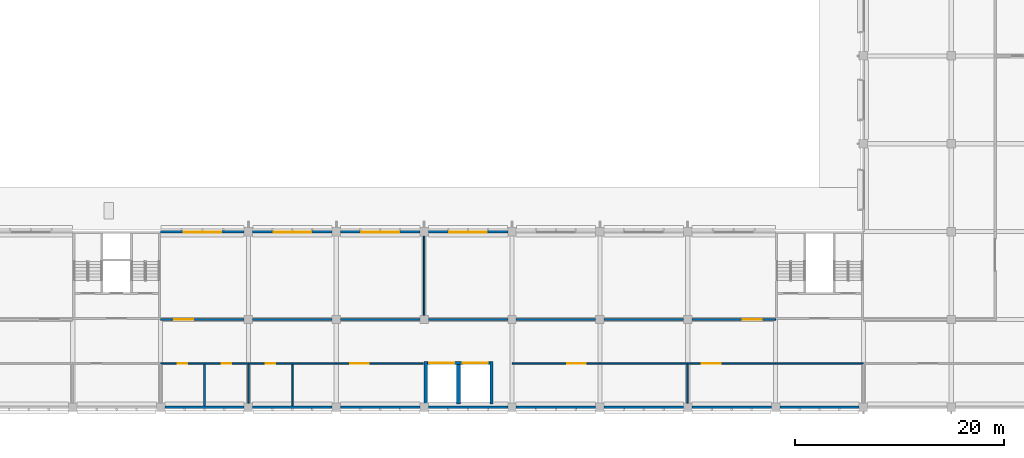
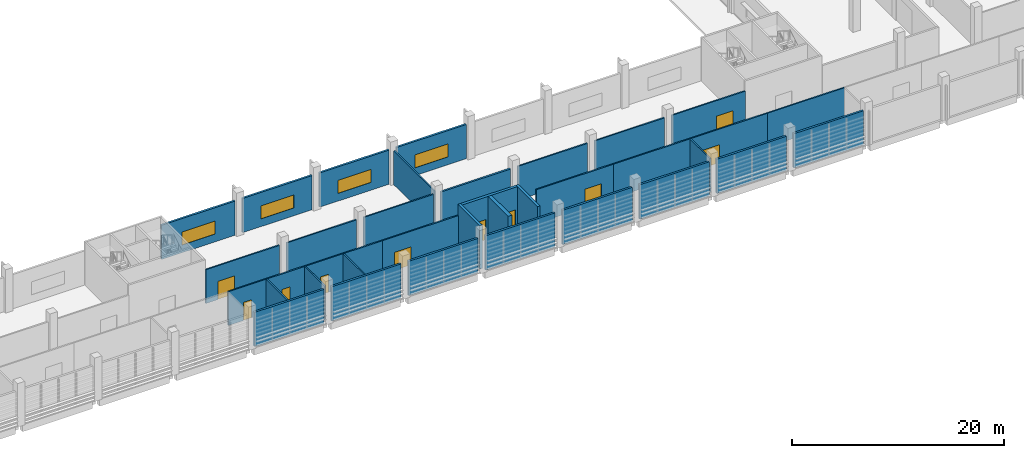
# One storey, part 32 of 101: 35 walls, 10 doors, 4 windows, 14 openings.
"""IFC4 building model written with IfcOpenShell, lengths in metres."""

from ifc_helpers import new_model, si_unit, direction, frame, frame_2d, origin, place, context, subcontext, project, spatial, rectangle, extrude, material, layer, layer_set, type_object, element, fill, save


model = new_model("IFC4")

# Units and contexts
model_context = context("Model", 3, precision=1e-05, world=origin(), true_north=direction((0.0, 1.0)))
body_context = subcontext(model_context, "Body", "Model", "MODEL_VIEW")
ifc_project = project(units=[si_unit("LENGTHUNIT", "METRE"), si_unit("AREAUNIT", "SQUARE_METRE"), si_unit("VOLUMEUNIT", "CUBIC_METRE"), si_unit("PLANEANGLEUNIT", "RADIAN"), si_unit("MASSUNIT", "GRAM", prefix="KILO")], contexts=[model_context])

# Site, building, storey
site_placement = place(None, origin())
site = spatial("IfcSite", under=ifc_project, at=site_placement, CompositionType="ELEMENT")
building_placement = place(site_placement, origin())
building = spatial("IfcBuilding", under=site, at=building_placement, Name="Almond Square Museum", CompositionType="ELEMENT")
storey_placement = place(building_placement, frame((0.0, 0.0, 5.5)))
storey = spatial("IfcBuildingStorey", under=building, at=storey_placement, Name="L01", CompositionType="ELEMENT", Elevation=5.5)

# Walls
ifc_material_1 = material(Name="Concrete blockwork 200", Category="masonry")
ifc_layer_1 = layer(ifc_material_1, 0.199951171875)
ifc_layer_set_1 = layer_set([ifc_layer_1], Name="Concrete blockwork 200")
wall_type_1 = type_object("IfcWallType", Name="Fire partition 200 blockwork", PredefinedType="PARTITIONING", material=ifc_layer_set_1)
wall_1_placement = place(storey_placement, frame((90.39990234375, 8.39990234375, 0.0), z_axis=(0.0, 0.0, 1.0), x_axis=(1.0, 0.0, 0.0)))
element("IfcWall", 1, at=wall_1_placement, inside=storey, type_object=wall_type_1, Name="L01 partition 93", PredefinedType="PARTITIONING", context=body_context, shape_type="SweptSolid", body=[
    extrude(rectangle(XDim=7.60009765625, YDim=0.199951171875, at=frame_2d((3.800048828125, 0.0))), origin(), (0.0, 0.0, 1.0), 3.89990234375),
])
ifc_material_2 = material(Name="Plasterboard on steel stud", Category="steel")
ifc_layer_2 = layer(ifc_material_2, 0.14990234375)
ifc_layer_set_2 = layer_set([ifc_layer_2], Name="Plasterboard on steel stud")
wall_type_2 = type_object("IfcWallType", Name="Partition 150 plasterboard on steel stud", PredefinedType="PARTITIONING", material=ifc_layer_set_2)
wall_2_placement = place(storey_placement, frame((90.0, 8.800048828125, 0.0), z_axis=(0.0, 0.0, 1.0), x_axis=(0.0, 1.0, 0.0)))
element("IfcWall", 2, at=wall_2_placement, inside=storey, type_object=wall_type_2, Name="L01 partition 86", PredefinedType="PARTITIONING", context=body_context, shape_type="SweptSolid", body=[
    extrude(rectangle(XDim=7.599853515625, YDim=0.14990234375, at=frame_2d((3.7998046875, 0.0))), origin(), (0.0, 0.0, 1.0), 3.89990234375),
])

# Wall, opening, door
wall_3_placement = place(storey_placement, frame((64.800048828125, 8.39990234375, 0.0), z_axis=(0.0, 0.0, 1.0), x_axis=(1.0, 0.0, 0.0)))
wall_3 = element("IfcWall", 3, at=wall_3_placement, inside=storey, type_object=wall_type_2, Name="L01 partition 87", PredefinedType="PARTITIONING", context=body_context, shape_type="SweptSolid", body=[
    extrude(rectangle(XDim=8.0, YDim=0.14990234375, at=frame_2d((4.0, 0.0))), origin(), (0.0, 0.0, 1.0), 3.89990234375),
])
opening_1_placement = place(wall_3_placement, frame((1.324951171875, 0.0, 0.0)))
opening_1 = element("IfcOpeningElement", 4, at=opening_1_placement, cuts=wall_3, Name="Opening D1127", PredefinedType="OPENING", context=body_context, shape_type="SweptSolid", body=[
    extrude(rectangle(XDim=1.800048828125, YDim=2.10009765625, at=frame_2d((0.89990234375, 1.050048828125))), frame((0.0, 0.0849609375, 0.0), z_axis=(0.0, -1.0, 0.0), x_axis=(1.0, 0.0, 0.0)), (0.0, 0.0, 1.0), 0.169921875),
])
ifc_material_3 = material(Name="Timber", Category="wood")
door_type_1 = type_object("IfcDoorType", Name="Door 1800 x 2100 timber double", OperationType="NOTDEFINED", PredefinedType="DOOR", material=ifc_material_3)
door_1_placement = place(opening_1_placement, origin())
door_1 = element("IfcDoor", 5, at=door_1_placement, inside=storey, type_object=door_type_1, Name="L01 door Painting Conservation Laboratory to Service Corridor 2", OperationType="DOUBLE_DOOR_SINGLE_SWING", OverallHeight=2.10009765625, OverallWidth=1.800048828125, PredefinedType="DOOR", context=body_context, shape_type="SweptSolid", body=[
    extrude(rectangle(XDim=1.800048828125, YDim=2.10009765625, at=frame_2d((0.89990234375, 1.050048828125))), frame((0.0, 0.02490234375, 0.0), z_axis=(0.0, -1.0, 0.0), x_axis=(1.0, 0.0, 0.0)), (0.0, 0.0, 1.0), 0.050048828125),
])
fill(opening_1, door_1)

# Walls
wall_4_placement = place(storey_placement, frame((73.60009765625, 8.39990234375, 0.0), z_axis=(0.0, 0.0, 1.0), x_axis=(1.0, 0.0, 0.0)))
element("IfcWall", 6, at=wall_4_placement, inside=storey, type_object=wall_type_2, Name="L01 partition 88", PredefinedType="PARTITIONING", context=body_context, shape_type="SweptSolid", body=[
    extrude(rectangle(XDim=7.599853515625, YDim=0.14990234375, at=frame_2d((3.7998046875, 0.0))), origin(), (0.0, 0.0, 1.0), 3.89990234375),
])
wall_5_placement = place(storey_placement, frame((82.0, 8.39990234375, 0.0), z_axis=(0.0, 0.0, 1.0), x_axis=(1.0, 0.0, 0.0)))
element("IfcWall", 7, at=wall_5_placement, inside=storey, type_object=wall_type_2, Name="L01 partition 89", PredefinedType="PARTITIONING", context=body_context, shape_type="SweptSolid", body=[
    extrude(rectangle(XDim=7.60009765625, YDim=0.14990234375, at=frame_2d((3.800048828125, 0.0))), origin(), (0.0, 0.0, 1.0), 3.89990234375),
])
wall_6_placement = place(storey_placement, frame((98.800048828125, 8.39990234375, 0.0), z_axis=(0.0, 0.0, 1.0), x_axis=(1.0, 0.0, 0.0)))
element("IfcWall", 8, at=wall_6_placement, inside=storey, type_object=wall_type_2, Name="L01 partition 90", PredefinedType="PARTITIONING", context=body_context, shape_type="SweptSolid", body=[
    extrude(rectangle(XDim=7.599853515625, YDim=0.14990234375, at=frame_2d((3.7998046875, 0.0))), origin(), (0.0, 0.0, 1.0), 3.89990234375),
])
wall_7_placement = place(storey_placement, frame((107.199951171875, 8.39990234375, 0.0), z_axis=(0.0, 0.0, 1.0), x_axis=(1.0, 0.0, 0.0)))
element("IfcWall", 9, at=wall_7_placement, inside=storey, type_object=wall_type_2, Name="L01 partition 91", PredefinedType="PARTITIONING", context=body_context, shape_type="SweptSolid", body=[
    extrude(rectangle(XDim=7.60009765625, YDim=0.14990234375, at=frame_2d((3.800048828125, 0.0))), origin(), (0.0, 0.0, 1.0), 3.89990234375),
])

# Wall, opening, door
wall_8_placement = place(storey_placement, frame((115.60009765625, 8.39990234375, 0.0), z_axis=(0.0, 0.0, 1.0), x_axis=(1.0, 0.0, 0.0)))
wall_8 = element("IfcWall", 10, at=wall_8_placement, inside=storey, type_object=wall_type_2, Name="L01 partition 92", PredefinedType="PARTITIONING", context=body_context, shape_type="SweptSolid", body=[
    extrude(rectangle(XDim=8.0, YDim=0.14990234375, at=frame_2d((4.0, 0.0))), origin(), (0.0, 0.0, 1.0), 3.89990234375),
])
opening_2_placement = place(wall_8_placement, frame((4.875, 0.0, 0.0)))
opening_2 = element("IfcOpeningElement", 11, at=opening_2_placement, cuts=wall_8, Name="Opening D1128", PredefinedType="OPENING", context=body_context, shape_type="SweptSolid", body=[
    extrude(rectangle(XDim=1.800048828125, YDim=2.10009765625, at=frame_2d((0.89990234375, 1.050048828125))), frame((0.0, 0.0849609375, 0.0), z_axis=(0.0, -1.0, 0.0), x_axis=(1.0, 0.0, 0.0)), (0.0, 0.0, 1.0), 0.169921875),
])
door_2_placement = place(opening_2_placement, origin())
door_2 = element("IfcDoor", 12, at=door_2_placement, inside=storey, type_object=door_type_1, Name="L01 door Textile Conservation Laboratory to Service Corridor 1", OperationType="DOUBLE_DOOR_SINGLE_SWING", OverallHeight=2.10009765625, OverallWidth=1.800048828125, PredefinedType="DOOR", context=body_context, shape_type="SweptSolid", body=[
    extrude(rectangle(XDim=1.800048828125, YDim=2.10009765625, at=frame_2d((0.89990234375, 1.050048828125))), frame((0.0, 0.02490234375, 0.0), z_axis=(0.0, -1.0, 0.0), x_axis=(1.0, 0.0, 0.0)), (0.0, 0.0, 1.0), 0.050048828125),
])
fill(opening_2, door_2)

wall_9_placement = place(storey_placement, frame((98.39990234375, 4.199951171875, 0.0), z_axis=(0.0, 0.0, 1.0), x_axis=(1.0, 0.0, 0.0)))
wall_9 = element("IfcWall", 13, at=wall_9_placement, inside=storey, type_object=wall_type_2, Name="L01 partition 94", PredefinedType="PARTITIONING", context=body_context, shape_type="SweptSolid", body=[
    extrude(rectangle(XDim=8.400146484375, YDim=0.14990234375, at=frame_2d((4.2001953125, 0.0))), origin(), (0.0, 0.0, 1.0), 3.89990234375),
])
opening_3_placement = place(wall_9_placement, frame((5.27490234375, 0.0, 0.0)))
opening_3 = element("IfcOpeningElement", 14, at=opening_3_placement, cuts=wall_9, Name="Opening D1138", PredefinedType="OPENING", context=body_context, shape_type="SweptSolid", body=[
    extrude(rectangle(XDim=1.800048828125, YDim=2.10009765625, at=frame_2d((0.89990234375, 1.050048828125))), frame((0.0, 0.0849609375, 0.0), z_axis=(0.0, -1.0, 0.0), x_axis=(1.0, 0.0, 0.0)), (0.0, 0.0, 1.0), 0.169921875),
])
door_3_placement = place(opening_3_placement, origin())
door_3 = element("IfcDoor", 15, at=door_3_placement, inside=storey, type_object=door_type_1, Name="L01 door Object Conservation Laboratory to Service Corridor 1", OperationType="DOUBLE_DOOR_SINGLE_SWING", OverallHeight=2.10009765625, OverallWidth=1.800048828125, PredefinedType="DOOR", context=body_context, shape_type="SweptSolid", body=[
    extrude(rectangle(XDim=1.800048828125, YDim=2.10009765625, at=frame_2d((0.89990234375, 1.050048828125))), frame((0.0, 0.02490234375, 0.0), z_axis=(0.0, -1.0, 0.0), x_axis=(1.0, 0.0, 0.0)), (0.0, 0.0, 1.0), 0.050048828125),
])
fill(opening_3, door_3)

# Wall
wall_10_placement = place(storey_placement, frame((106.800048828125, 4.199951171875, 0.0), z_axis=(0.0, 0.0, 1.0), x_axis=(1.0, 0.0, 0.0)))
element("IfcWall", 16, at=wall_10_placement, inside=storey, type_object=wall_type_2, Name="L01 partition 95", PredefinedType="PARTITIONING", context=body_context, shape_type="SweptSolid", body=[
    extrude(rectangle(XDim=8.39990234375, YDim=0.14990234375, at=frame_2d((4.199951171875, 0.0))), origin(), (0.0, 0.0, 1.0), 3.89990234375),
])

# Wall, opening, door
wall_11_placement = place(storey_placement, frame((115.199951171875, 4.199951171875, 0.0), z_axis=(0.0, 0.0, 1.0), x_axis=(1.0, 0.0, 0.0)))
wall_11 = element("IfcWall", 17, at=wall_11_placement, inside=storey, type_object=wall_type_2, Name="L01 partition 96", PredefinedType="PARTITIONING", context=body_context, shape_type="SweptSolid", body=[
    extrude(rectangle(XDim=8.400146484375, YDim=0.14990234375, at=frame_2d((4.2001953125, 0.0))), origin(), (0.0, 0.0, 1.0), 3.89990234375),
])
opening_4_placement = place(wall_11_placement, frame((1.362548828125, 0.0, 0.0)))
opening_4 = element("IfcOpeningElement", 18, at=opening_4_placement, cuts=wall_11, Name="Opening D1139", PredefinedType="OPENING", context=body_context, shape_type="SweptSolid", body=[
    extrude(rectangle(XDim=1.800048828125, YDim=2.10009765625, at=frame_2d((0.89990234375, 1.050048828125))), frame((0.0, 0.0849609375, 0.0), z_axis=(0.0, -1.0, 0.0), x_axis=(1.0, 0.0, 0.0)), (0.0, 0.0, 1.0), 0.169921875),
])
door_4_placement = place(opening_4_placement, origin())
door_4 = element("IfcDoor", 19, at=door_4_placement, inside=storey, type_object=door_type_1, Name="L01 door Documentation Studio to Service Corridor 1", OperationType="DOUBLE_DOOR_SINGLE_SWING", OverallHeight=2.10009765625, OverallWidth=1.800048828125, PredefinedType="DOOR", context=body_context, shape_type="SweptSolid", body=[
    extrude(rectangle(XDim=1.800048828125, YDim=2.10009765625, at=frame_2d((0.89990234375, 1.050048828125))), frame((0.0, 0.02490234375, 0.0), z_axis=(0.0, -1.0, 0.0), x_axis=(1.0, 0.0, 0.0)), (0.0, 0.0, 1.0), 0.050048828125),
])
fill(opening_4, door_4)

# Wall
wall_12_placement = place(storey_placement, frame((123.60009765625, 4.199951171875, 0.0), z_axis=(0.0, 0.0, 1.0), x_axis=(1.0, 0.0, 0.0)))
element("IfcWall", 20, at=wall_12_placement, inside=storey, type_object=wall_type_2, Name="L01 partition 97", PredefinedType="PARTITIONING", context=body_context, shape_type="SweptSolid", body=[
    extrude(rectangle(XDim=8.39990234375, YDim=0.14990234375, at=frame_2d((4.199951171875, 0.0))), origin(), (0.0, 0.0, 1.0), 3.89990234375),
])

# Wall, openings, doors
wall_13_placement = place(storey_placement, frame((64.800048828125, 4.199951171875, 0.0), z_axis=(0.0, 0.0, 1.0), x_axis=(1.0, 0.0, 0.0)))
wall_13 = element("IfcWall", 21, at=wall_13_placement, inside=storey, type_object=wall_type_2, Name="L01 partition 107", PredefinedType="PARTITIONING", context=body_context, shape_type="SweptSolid", body=[
    extrude(rectangle(XDim=8.39990234375, YDim=0.14990234375, at=frame_2d((4.199951171875, 0.0))), origin(), (0.0, 0.0, 1.0), 3.89990234375),
])
opening_5_placement = place(wall_13_placement, frame((1.64990234375, 0.0, 0.0)))
opening_5 = element("IfcOpeningElement", 22, at=opening_5_placement, cuts=wall_13, Name="Opening D1134", PredefinedType="OPENING", context=body_context, shape_type="SweptSolid", body=[
    extrude(rectangle(XDim=0.89990234375, YDim=2.10009765625, at=frame_2d((0.449951171875, 1.050048828125))), frame((0.0, 0.0849609375, 0.0), z_axis=(0.0, -1.0, 0.0), x_axis=(1.0, 0.0, 0.0)), (0.0, 0.0, 1.0), 0.169921875),
])
opening_6_placement = place(wall_13_placement, frame((5.85009765625, 0.0, 0.0)))
opening_6 = element("IfcOpeningElement", 23, at=opening_6_placement, cuts=wall_13, Name="Opening D1135", PredefinedType="OPENING", context=body_context, shape_type="SweptSolid", body=[
    extrude(rectangle(XDim=0.89990234375, YDim=2.10009765625, at=frame_2d((0.449951171875, 1.050048828125))), frame((0.0, 0.0849609375, 0.0), z_axis=(0.0, -1.0, 0.0), x_axis=(1.0, 0.0, 0.0)), (0.0, 0.0, 1.0), 0.169921875),
])
ifc_material_4 = material(Name="Timber", Category="wood")
door_type_2 = type_object("IfcDoorType", Name="Door 900 x 2100 timber single", OperationType="NOTDEFINED", PredefinedType="DOOR", material=ifc_material_4)
door_5_placement = place(opening_5_placement, origin())
door_5 = element("IfcDoor", 24, at=door_5_placement, inside=storey, type_object=door_type_2, Name="L01 door Women's WC 3 to Service Corridor 2", OperationType="SINGLE_SWING_LEFT", OverallHeight=2.10009765625, OverallWidth=0.89990234375, PredefinedType="DOOR", context=body_context, shape_type="SweptSolid", body=[
    extrude(rectangle(XDim=0.89990234375, YDim=2.10009765625, at=frame_2d((0.449951171875, 1.050048828125))), frame((0.0, 0.02490234375, 0.0), z_axis=(0.0, -1.0, 0.0), x_axis=(1.0, 0.0, 0.0)), (0.0, 0.0, 1.0), 0.050048828125),
])
fill(opening_5, door_5)
door_6_placement = place(opening_6_placement, origin())
door_6 = element("IfcDoor", 25, at=door_6_placement, inside=storey, type_object=door_type_2, Name="L01 door Men's WC 3 to Service Corridor 2", OperationType="SINGLE_SWING_RIGHT", OverallHeight=2.10009765625, OverallWidth=0.89990234375, PredefinedType="DOOR", context=body_context, shape_type="SweptSolid", body=[
    extrude(rectangle(XDim=0.89990234375, YDim=2.10009765625, at=frame_2d((0.449951171875, 1.050048828125))), frame((0.0, 0.02490234375, 0.0), z_axis=(0.0, -1.0, 0.0), x_axis=(1.0, 0.0, 0.0)), (0.0, 0.0, 1.0), 0.050048828125),
])
fill(opening_6, door_6)

# Wall, opening, door
wall_14_placement = place(storey_placement, frame((73.199951171875, 4.199951171875, 0.0), z_axis=(0.0, 0.0, 1.0), x_axis=(1.0, 0.0, 0.0)))
wall_14 = element("IfcWall", 26, at=wall_14_placement, inside=storey, type_object=wall_type_2, Name="L01 partition 108", PredefinedType="PARTITIONING", context=body_context, shape_type="SweptSolid", body=[
    extrude(rectangle(XDim=8.400146484375, YDim=0.14990234375, at=frame_2d((4.2001953125, 0.0))), origin(), (0.0, 0.0, 1.0), 3.89990234375),
])
opening_7_placement = place(wall_14_placement, frame((1.64990234375, 0.0, 0.0)))
opening_7 = element("IfcOpeningElement", 27, at=opening_7_placement, cuts=wall_14, Name="Opening D1136", PredefinedType="OPENING", context=body_context, shape_type="SweptSolid", body=[
    extrude(rectangle(XDim=0.89990234375, YDim=2.10009765625, at=frame_2d((0.449951171875, 1.050048828125))), frame((0.0, 0.0849609375, 0.0), z_axis=(0.0, -1.0, 0.0), x_axis=(1.0, 0.0, 0.0)), (0.0, 0.0, 1.0), 0.169921875),
])
door_7_placement = place(opening_7_placement, origin())
door_7 = element("IfcDoor", 28, at=door_7_placement, inside=storey, type_object=door_type_2, Name="L01 door Accessible WC 3 to Service Corridor 2", OperationType="SINGLE_SWING_LEFT", OverallHeight=2.10009765625, OverallWidth=0.89990234375, PredefinedType="DOOR", context=body_context, shape_type="SweptSolid", body=[
    extrude(rectangle(XDim=0.89990234375, YDim=2.10009765625, at=frame_2d((0.449951171875, 1.050048828125))), frame((0.0, 0.02490234375, 0.0), z_axis=(0.0, -1.0, 0.0), x_axis=(1.0, 0.0, 0.0)), (0.0, 0.0, 1.0), 0.050048828125),
])
fill(opening_7, door_7)

wall_15_placement = place(storey_placement, frame((81.60009765625, 4.199951171875, 0.0), z_axis=(0.0, 0.0, 1.0), x_axis=(1.0, 0.0, 0.0)))
wall_15 = element("IfcWall", 29, at=wall_15_placement, inside=storey, type_object=wall_type_2, Name="L01 partition 109", PredefinedType="PARTITIONING", context=body_context, shape_type="SweptSolid", body=[
    extrude(rectangle(XDim=8.2998046875, YDim=0.14990234375, at=frame_2d((4.14990234375, 0.0))), origin(), (0.0, 0.0, 1.0), 3.89990234375),
])
opening_8_placement = place(wall_15_placement, frame((1.324951171875, 0.0, 0.0)))
opening_8 = element("IfcOpeningElement", 30, at=opening_8_placement, cuts=wall_15, Name="Opening D1137", PredefinedType="OPENING", context=body_context, shape_type="SweptSolid", body=[
    extrude(rectangle(XDim=1.800048828125, YDim=2.10009765625, at=frame_2d((0.89990234375, 1.050048828125))), frame((0.0, 0.0849609375, 0.0), z_axis=(0.0, -1.0, 0.0), x_axis=(1.0, 0.0, 0.0)), (0.0, 0.0, 1.0), 0.169921875),
])
door_8_placement = place(opening_8_placement, origin())
door_8 = element("IfcDoor", 31, at=door_8_placement, inside=storey, type_object=door_type_1, Name="L01 door Scientific Analysis Laboratory to Service Corridor 2", OperationType="DOUBLE_DOOR_SINGLE_SWING", OverallHeight=2.10009765625, OverallWidth=1.800048828125, PredefinedType="DOOR", context=body_context, shape_type="SweptSolid", body=[
    extrude(rectangle(XDim=1.800048828125, YDim=2.10009765625, at=frame_2d((0.89990234375, 1.050048828125))), frame((0.0, 0.02490234375, 0.0), z_axis=(0.0, -1.0, 0.0), x_axis=(1.0, 0.0, 0.0)), (0.0, 0.0, 1.0), 0.050048828125),
])
fill(opening_8, door_8)

# Walls
wall_16_placement = place(storey_placement, frame((69.0, 0.14990234375, 0.0), z_axis=(0.0, 0.0, 1.0), x_axis=(0.0, 1.0, 0.0)))
element("IfcWall", 32, at=wall_16_placement, inside=storey, type_object=wall_type_2, Name="L01 partition 115", PredefinedType="PARTITIONING", context=body_context, shape_type="SweptSolid", body=[
    extrude(rectangle(XDim=3.97509765625, YDim=0.14990234375, at=frame_2d((1.987548828125, 0.0))), origin(), (0.0, 0.0, 1.0), 3.89990234375),
])
wall_17_placement = place(storey_placement, frame((73.199951171875, 0.39990234375, 0.0), z_axis=(0.0, 0.0, 1.0), x_axis=(0.0, 1.0, 0.0)))
element("IfcWall", 33, at=wall_17_placement, inside=storey, type_object=wall_type_2, Name="L01 partition 116", PredefinedType="PARTITIONING", context=body_context, shape_type="SweptSolid", body=[
    extrude(rectangle(XDim=3.72509765625, YDim=0.14990234375, at=frame_2d((1.862548828125, 0.0))), origin(), (0.0, 0.0, 1.0), 3.89990234375),
])
wall_18_placement = place(storey_placement, frame((77.39990234375, 0.14990234375, 0.0), z_axis=(0.0, 0.0, 1.0), x_axis=(0.0, 1.0, 0.0)))
element("IfcWall", 34, at=wall_18_placement, inside=storey, type_object=wall_type_2, Name="L01 partition 117", PredefinedType="PARTITIONING", context=body_context, shape_type="SweptSolid", body=[
    extrude(rectangle(XDim=3.97509765625, YDim=0.14990234375, at=frame_2d((1.987548828125, 0.0))), origin(), (0.0, 0.0, 1.0), 3.89990234375),
])
wall_19_placement = place(storey_placement, frame((115.199951171875, 0.39990234375, 0.0), z_axis=(0.0, 0.0, 1.0), x_axis=(0.0, 1.0, 0.0)))
element("IfcWall", 35, at=wall_19_placement, inside=storey, type_object=wall_type_2, Name="L01 partition 118", PredefinedType="PARTITIONING", context=body_context, shape_type="SweptSolid", body=[
    extrude(rectangle(XDim=3.72509765625, YDim=0.14990234375, at=frame_2d((1.862548828125, 0.0))), origin(), (0.0, 0.0, 1.0), 3.89990234375),
])
ifc_material_5 = material(Name="Concrete C40/50", Category="concrete")
ifc_layer_3 = layer(ifc_material_5, 0.300048828125)
ifc_layer_set_3 = layer_set([ifc_layer_3], Name="Concrete C40/50")
wall_type_3 = type_object("IfcWallType", Name="RC shear wall 300 C40/50", PredefinedType="SHEAR", material=ifc_layer_set_3)
for number, where, z_axis, x_axis, name in (
    (36, (90.14990234375, 0.300048828125, 0.0), (0.0, 0.0, 1.0), (0.0, 1.0, 0.0), "Goods lift shaft west wall L01"),
    (37, (96.449951171875, 0.300048828125, 0.0), (0.0, 0.0, 1.0), (0.0, 1.0, 0.0), "Goods lift shaft east wall L01"),
):
    element("IfcWall", number, at=place(storey_placement, frame(where, z_axis=z_axis, x_axis=x_axis)), inside=storey, type_object=wall_type_3, Name=name, PredefinedType="SHEAR", context=body_context, shape_type="SweptSolid", body=[
        extrude(rectangle(XDim=4.099853515625, YDim=0.300048828125, at=frame_2d((2.0498046875, 0.0))), origin(), (0.0, 0.0, 1.0), 5.0),
    ])

# Wall, openings, doors
wall_20_placement = place(storey_placement, frame((90.300048828125, 4.25, 0.0), z_axis=(0.0, 0.0, 1.0), x_axis=(1.0, 0.0, 0.0)))
wall_20 = element("IfcWall", 38, at=wall_20_placement, inside=storey, type_object=wall_type_3, Name="Goods lift shaft lobby wall L01", PredefinedType="SHEAR", context=body_context, shape_type="SweptSolid", body=[
    extrude(rectangle(XDim=6.0, YDim=0.300048828125, at=frame_2d((3.0, 0.0))), origin(), (0.0, 0.0, 1.0), 5.0),
])
opening_9_placement = place(wall_20_placement, frame((0.199951171875, 0.0, 0.0)))
opening_9 = element("IfcOpeningElement", 39, at=opening_9_placement, cuts=wall_20, Name="Opening D1214", PredefinedType="OPENING", context=body_context, shape_type="SweptSolid", body=[
    extrude(rectangle(XDim=2.39990234375, YDim=2.39990234375, at=frame_2d((1.199951171875, 1.199951171875))), frame((0.0, 0.159912109375, 0.0), z_axis=(0.0, -1.0, 0.0), x_axis=(1.0, 0.0, 0.0)), (0.0, 0.0, 1.0), 0.320068359375),
])
opening_10_placement = place(wall_20_placement, frame((3.39990234375, 0.0, 0.0)))
opening_10 = element("IfcOpeningElement", 40, at=opening_10_placement, cuts=wall_20, Name="Opening D1215", PredefinedType="OPENING", context=body_context, shape_type="SweptSolid", body=[
    extrude(rectangle(XDim=2.39990234375, YDim=2.39990234375, at=frame_2d((1.199951171875, 1.199951171875))), frame((0.0, 0.159912109375, 0.0), z_axis=(0.0, -1.0, 0.0), x_axis=(1.0, 0.0, 0.0)), (0.0, 0.0, 1.0), 0.320068359375),
])
ifc_material_6 = material(Name="Stainless steel", Category="steel")
door_type_3 = type_object("IfcDoorType", Name="Goods lift landing door 2400 x 2400", OperationType="NOTDEFINED", PredefinedType="DOOR", material=ifc_material_6)
door_9_placement = place(opening_9_placement, origin())
door_9 = element("IfcDoor", 41, at=door_9_placement, inside=storey, type_object=door_type_3, Name="L01 goods lift GL1 landing door", OperationType="DOUBLE_DOOR_SLIDING", OverallHeight=2.39990234375, OverallWidth=2.39990234375, PredefinedType="DOOR", context=body_context, shape_type="SweptSolid", body=[
    extrude(rectangle(XDim=2.39990234375, YDim=2.39990234375, at=frame_2d((1.199951171875, 1.199951171875))), frame((0.0, 0.02490234375, 0.0), z_axis=(0.0, -1.0, 0.0), x_axis=(1.0, 0.0, 0.0)), (0.0, 0.0, 1.0), 0.050048828125),
])
fill(opening_9, door_9)
door_10_placement = place(opening_10_placement, origin())
door_10 = element("IfcDoor", 42, at=door_10_placement, inside=storey, type_object=door_type_3, Name="L01 goods lift GL2 landing door", OperationType="DOUBLE_DOOR_SLIDING", OverallHeight=2.39990234375, OverallWidth=2.39990234375, PredefinedType="DOOR", context=body_context, shape_type="SweptSolid", body=[
    extrude(rectangle(XDim=2.39990234375, YDim=2.39990234375, at=frame_2d((1.199951171875, 1.199951171875))), frame((0.0, 0.02490234375, 0.0), z_axis=(0.0, -1.0, 0.0), x_axis=(1.0, 0.0, 0.0)), (0.0, 0.0, 1.0), 0.050048828125),
])
fill(opening_10, door_10)

# Walls
ifc_material_7 = material(Name="Concrete C40/50", Category="concrete")
ifc_layer_4 = layer(ifc_material_7, 0.39990234375)
ifc_layer_set_4 = layer_set([ifc_layer_4], Name="Concrete C40/50")
wall_type_4 = type_object("IfcWallType", Name="RC shear wall 400 C40/50", PredefinedType="SHEAR", material=ifc_layer_set_4)
wall_21_placement = place(storey_placement, frame((93.300048828125, 0.300048828125, 0.0), z_axis=(0.0, 0.0, 1.0), x_axis=(0.0, 1.0, 0.0)))
element("IfcWall", 43, at=wall_21_placement, inside=storey, type_object=wall_type_4, Name="Goods lift shaft partition wall L01", PredefinedType="SHEAR", context=body_context, shape_type="SweptSolid", body=[
    extrude(rectangle(XDim=3.800048828125, YDim=0.39990234375, at=frame_2d((1.89990234375, 0.0))), origin(), (0.0, 0.0, 1.0), 5.0),
])
ifc_material_8 = material(Name="Concrete C30/37", Category="concrete")
ifc_layer_5 = layer(ifc_material_8, 0.219970703125)
ifc_layer_set_5 = layer_set([ifc_layer_5], Name="Concrete C30/37")
wall_type_5 = type_object("IfcWallType", Name="Stucco panel wall 220 with insulation", PredefinedType="SOLIDWALL", material=ifc_layer_set_5)
wall_22_placement = place(storey_placement, frame((65.199951171875, 0.0, 0.0), z_axis=(0.0, 0.0, 1.0), x_axis=(1.0, 0.0, 0.0)))
element("IfcWall", 44, at=wall_22_placement, inside=storey, type_object=wall_type_5, Name="External wall W4 V5S L01 S07", PredefinedType="SOLIDWALL", context=body_context, shape_type="SweptSolid", body=[
    extrude(rectangle(XDim=7.60009765625, YDim=0.219970703125, at=frame_2d((3.800048828125, 0.0))), origin(), (0.0, 0.0, 1.0), 3.93994140625),
])
wall_23_placement = place(storey_placement, frame((73.60009765625, 0.0, 0.0), z_axis=(0.0, 0.0, 1.0), x_axis=(1.0, 0.0, 0.0)))
element("IfcWall", 45, at=wall_23_placement, inside=storey, type_object=wall_type_5, Name="External wall W4 V5S L01 S08", PredefinedType="SOLIDWALL", context=body_context, shape_type="SweptSolid", body=[
    extrude(rectangle(XDim=7.599853515625, YDim=0.219970703125, at=frame_2d((3.7998046875, 0.0))), origin(), (0.0, 0.0, 1.0), 3.93994140625),
])
for number, where, z_axis, x_axis, name in (
    (46, (82.0, 0.0, 0.0), (0.0, 0.0, 1.0), (1.0, 0.0, 0.0), "External wall W4 V5S L01 S09"),
    (47, (90.39990234375, 0.0, 0.0), (0.0, 0.0, 1.0), (1.0, 0.0, 0.0), "External wall W4 V5S L01 S10"),
):
    element("IfcWall", number, at=place(storey_placement, frame(where, z_axis=z_axis, x_axis=x_axis)), inside=storey, type_object=wall_type_5, Name=name, PredefinedType="SOLIDWALL", context=body_context, shape_type="SweptSolid", body=[
        extrude(rectangle(XDim=7.60009765625, YDim=0.219970703125, at=frame_2d((3.800048828125, 0.0))), origin(), (0.0, 0.0, 1.0), 3.93994140625),
    ])
wall_24_placement = place(storey_placement, frame((98.800048828125, 0.0, 0.0), z_axis=(0.0, 0.0, 1.0), x_axis=(1.0, 0.0, 0.0)))
element("IfcWall", 48, at=wall_24_placement, inside=storey, type_object=wall_type_5, Name="External wall W4 V5S L01 S11", PredefinedType="SOLIDWALL", context=body_context, shape_type="SweptSolid", body=[
    extrude(rectangle(XDim=7.599853515625, YDim=0.219970703125, at=frame_2d((3.7998046875, 0.0))), origin(), (0.0, 0.0, 1.0), 3.93994140625),
])
wall_25_placement = place(storey_placement, frame((107.199951171875, 0.0, 0.0), z_axis=(0.0, 0.0, 1.0), x_axis=(1.0, 0.0, 0.0)))
element("IfcWall", 49, at=wall_25_placement, inside=storey, type_object=wall_type_5, Name="External wall W4 V5S L01 S12", PredefinedType="SOLIDWALL", context=body_context, shape_type="SweptSolid", body=[
    extrude(rectangle(XDim=7.60009765625, YDim=0.219970703125, at=frame_2d((3.800048828125, 0.0))), origin(), (0.0, 0.0, 1.0), 3.93994140625),
])
wall_26_placement = place(storey_placement, frame((115.60009765625, 0.0, 0.0), z_axis=(0.0, 0.0, 1.0), x_axis=(1.0, 0.0, 0.0)))
element("IfcWall", 50, at=wall_26_placement, inside=storey, type_object=wall_type_5, Name="External wall W4 V5S L01 S13", PredefinedType="SOLIDWALL", context=body_context, shape_type="SweptSolid", body=[
    extrude(rectangle(XDim=7.599853515625, YDim=0.219970703125, at=frame_2d((3.7998046875, 0.0))), origin(), (0.0, 0.0, 1.0), 3.93994140625),
])
wall_27_placement = place(storey_placement, frame((124.0, 0.0, 0.0), z_axis=(0.0, 0.0, 1.0), x_axis=(1.0, 0.0, 0.0)))
element("IfcWall", 51, at=wall_27_placement, inside=storey, type_object=wall_type_5, Name="External wall W4 V5S L01 S14", PredefinedType="SOLIDWALL", context=body_context, shape_type="SweptSolid", body=[
    extrude(rectangle(XDim=7.60009765625, YDim=0.219970703125, at=frame_2d((3.800048828125, 0.0))), origin(), (0.0, 0.0, 1.0), 3.93994140625),
])

# Wall, opening, window
wall_28_placement = place(storey_placement, frame((90.39990234375, 16.800048828125, 0.0), z_axis=(0.0, 0.0, 1.0), x_axis=(1.0, 0.0, 0.0)))
wall_28 = element("IfcWall", 52, at=wall_28_placement, inside=storey, type_object=wall_type_5, Name="External wall W4 V5S L01 N04", PredefinedType="SOLIDWALL", context=body_context, shape_type="SweptSolid", body=[
    extrude(rectangle(XDim=7.60009765625, YDim=0.219970703125, at=frame_2d((3.800048828125, 0.0))), origin(), (0.0, 0.0, 1.0), 3.93994140625),
])
opening_11_placement = place(wall_28_placement, frame((2.0, 0.0, 0.89990234375)))
opening_11 = element("IfcOpeningElement", 53, at=opening_11_placement, cuts=wall_28, Name="Opening W1009", PredefinedType="OPENING", context=body_context, shape_type="SweptSolid", body=[
    extrude(rectangle(XDim=3.60009765625, YDim=1.5, at=frame_2d((1.800048828125, 0.75))), frame((0.0, 0.119873046875, 0.0), z_axis=(0.0, -1.0, 0.0), x_axis=(1.0, 0.0, 0.0)), (0.0, 0.0, 1.0), 0.239990234375),
])
ifc_material_9 = material(Name="Aluminium frame and laminated glass", Category="aluminium")
window_type = type_object("IfcWindowType", Name="Office ribbon window", PartitioningType="SINGLE_PANEL", PredefinedType="WINDOW", material=ifc_material_9)
window_1_placement = place(opening_11_placement, origin())
window_1 = element("IfcWindow", 54, at=window_1_placement, inside=storey, type_object=window_type, Name="Office ribbon window W1009", OverallHeight=1.5, OverallWidth=3.60009765625, PartitioningType="DOUBLE_PANEL_VERTICAL", PredefinedType="WINDOW", context=body_context, shape_type="SweptSolid", body=[
    extrude(rectangle(XDim=3.60009765625, YDim=1.5, at=frame_2d((1.800048828125, 0.75))), frame((0.0, -0.030029296875, 0.0), z_axis=(0.0, -1.0, 0.0), x_axis=(1.0, 0.0, 0.0)), (0.0, 0.0, 1.0), 0.06005859375),
])
fill(opening_11, window_1)

wall_29_placement = place(storey_placement, frame((82.0, 16.800048828125, 0.0), z_axis=(0.0, 0.0, 1.0), x_axis=(1.0, 0.0, 0.0)))
wall_29 = element("IfcWall", 55, at=wall_29_placement, inside=storey, type_object=wall_type_5, Name="External wall W4 V5S L01 N05", PredefinedType="SOLIDWALL", context=body_context, shape_type="SweptSolid", body=[
    extrude(rectangle(XDim=7.60009765625, YDim=0.219970703125, at=frame_2d((3.800048828125, 0.0))), origin(), (0.0, 0.0, 1.0), 3.93994140625),
])
opening_12_placement = place(wall_29_placement, frame((2.0, 0.0, 0.89990234375)))
opening_12 = element("IfcOpeningElement", 56, at=opening_12_placement, cuts=wall_29, Name="Opening W1010", PredefinedType="OPENING", context=body_context, shape_type="SweptSolid", body=[
    extrude(rectangle(XDim=3.60009765625, YDim=1.5, at=frame_2d((1.800048828125, 0.75))), frame((0.0, 0.119873046875, 0.0), z_axis=(0.0, -1.0, 0.0), x_axis=(1.0, 0.0, 0.0)), (0.0, 0.0, 1.0), 0.239990234375),
])
window_2_placement = place(opening_12_placement, origin())
window_2 = element("IfcWindow", 57, at=window_2_placement, inside=storey, type_object=window_type, Name="Office ribbon window W1010", OverallHeight=1.5, OverallWidth=3.60009765625, PartitioningType="DOUBLE_PANEL_VERTICAL", PredefinedType="WINDOW", context=body_context, shape_type="SweptSolid", body=[
    extrude(rectangle(XDim=3.60009765625, YDim=1.5, at=frame_2d((1.800048828125, 0.75))), frame((0.0, -0.030029296875, 0.0), z_axis=(0.0, -1.0, 0.0), x_axis=(1.0, 0.0, 0.0)), (0.0, 0.0, 1.0), 0.06005859375),
])
fill(opening_12, window_2)

wall_30_placement = place(storey_placement, frame((73.60009765625, 16.800048828125, 0.0), z_axis=(0.0, 0.0, 1.0), x_axis=(1.0, 0.0, 0.0)))
wall_30 = element("IfcWall", 58, at=wall_30_placement, inside=storey, type_object=wall_type_5, Name="External wall W4 V5S L01 N06", PredefinedType="SOLIDWALL", context=body_context, shape_type="SweptSolid", body=[
    extrude(rectangle(XDim=7.599853515625, YDim=0.219970703125, at=frame_2d((3.7998046875, 0.0))), origin(), (0.0, 0.0, 1.0), 3.93994140625),
])
opening_13_placement = place(wall_30_placement, frame((2.0, 0.0, 0.89990234375)))
opening_13 = element("IfcOpeningElement", 59, at=opening_13_placement, cuts=wall_30, Name="Opening W1011", PredefinedType="OPENING", context=body_context, shape_type="SweptSolid", body=[
    extrude(rectangle(XDim=3.60009765625, YDim=1.5, at=frame_2d((1.800048828125, 0.75))), frame((0.0, 0.119873046875, 0.0), z_axis=(0.0, -1.0, 0.0), x_axis=(1.0, 0.0, 0.0)), (0.0, 0.0, 1.0), 0.239990234375),
])
window_3_placement = place(opening_13_placement, origin())
window_3 = element("IfcWindow", 60, at=window_3_placement, inside=storey, type_object=window_type, Name="Office ribbon window W1011", OverallHeight=1.5, OverallWidth=3.60009765625, PartitioningType="DOUBLE_PANEL_VERTICAL", PredefinedType="WINDOW", context=body_context, shape_type="SweptSolid", body=[
    extrude(rectangle(XDim=3.60009765625, YDim=1.5, at=frame_2d((1.800048828125, 0.75))), frame((0.0, -0.030029296875, 0.0), z_axis=(0.0, -1.0, 0.0), x_axis=(1.0, 0.0, 0.0)), (0.0, 0.0, 1.0), 0.06005859375),
])
fill(opening_13, window_3)

wall_31_placement = place(storey_placement, frame((64.800048828125, 16.800048828125, 0.0), z_axis=(0.0, 0.0, 1.0), x_axis=(1.0, 0.0, 0.0)))
wall_31 = element("IfcWall", 61, at=wall_31_placement, inside=storey, type_object=wall_type_5, Name="External wall W4 V5S L01 N07", PredefinedType="SOLIDWALL", context=body_context, shape_type="SweptSolid", body=[
    extrude(rectangle(XDim=8.0, YDim=0.219970703125, at=frame_2d((4.0, 0.0))), origin(), (0.0, 0.0, 1.0), 3.93994140625),
])
opening_14_placement = place(wall_31_placement, frame((2.199951171875, 0.0, 0.89990234375)))
opening_14 = element("IfcOpeningElement", 62, at=opening_14_placement, cuts=wall_31, Name="Opening W1012", PredefinedType="OPENING", context=body_context, shape_type="SweptSolid", body=[
    extrude(rectangle(XDim=3.60009765625, YDim=1.5, at=frame_2d((1.800048828125, 0.75))), frame((0.0, 0.119873046875, 0.0), z_axis=(0.0, -1.0, 0.0), x_axis=(1.0, 0.0, 0.0)), (0.0, 0.0, 1.0), 0.239990234375),
])
window_4_placement = place(opening_14_placement, origin())
window_4 = element("IfcWindow", 63, at=window_4_placement, inside=storey, type_object=window_type, Name="Office ribbon window W1012", OverallHeight=1.5, OverallWidth=3.60009765625, PartitioningType="DOUBLE_PANEL_VERTICAL", PredefinedType="WINDOW", context=body_context, shape_type="SweptSolid", body=[
    extrude(rectangle(XDim=3.60009765625, YDim=1.5, at=frame_2d((1.800048828125, 0.75))), frame((0.0, -0.030029296875, 0.0), z_axis=(0.0, -1.0, 0.0), x_axis=(1.0, 0.0, 0.0)), (0.0, 0.0, 1.0), 0.06005859375),
])
fill(opening_14, window_4)

save(model, "model.ifc")
